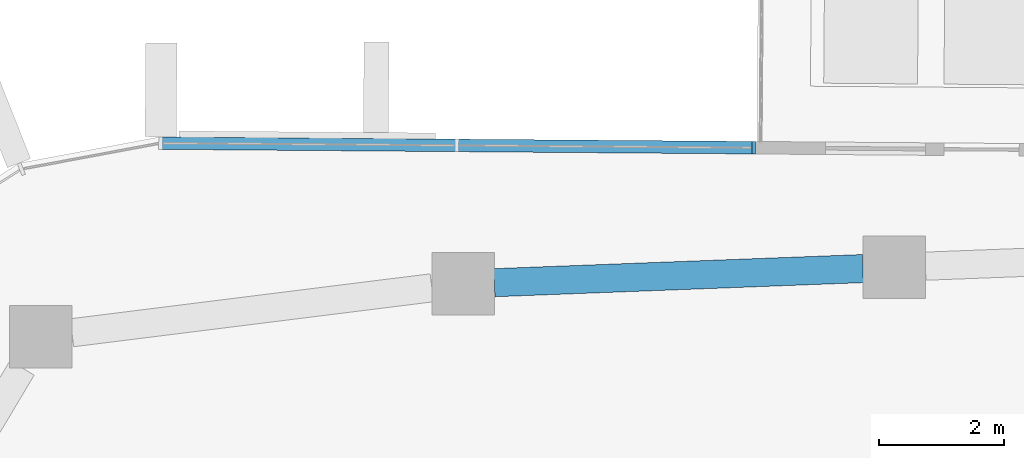
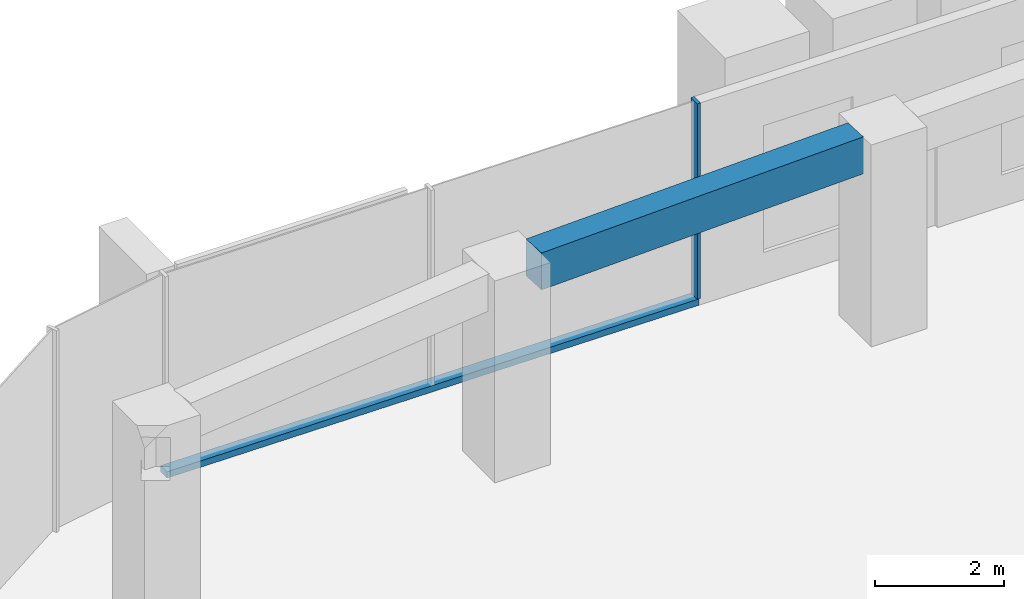
# One storey, part 7 of 23: 2 members, 1 beam, 1 element without a shape of its own.
"""IFC4 building model written with IfcOpenShell, lengths in metres."""

from ifc_helpers import new_model, si_unit, direction, frame, origin, origin_2d, place, context, subcontext, project, spatial, rectangle, extrude, material, layer, layer_set, material_profile, profile_set, type_object, element, aggregate, save


model = new_model("IFC4")

# Units and contexts
model_context = context("Model", 3, precision=1e-05, world=origin(), true_north=direction((0.0, 1.0)))
body_context = subcontext(model_context, "Body", "Model", "MODEL_VIEW")
ifc_project = project(units=[si_unit("LENGTHUNIT", "METRE"), si_unit("AREAUNIT", "SQUARE_METRE"), si_unit("VOLUMEUNIT", "CUBIC_METRE"), si_unit("PLANEANGLEUNIT", "RADIAN"), si_unit("MASSUNIT", "GRAM", prefix="KILO")], contexts=[model_context])

# Site, building, storey
site_placement = place(None, origin())
site = spatial("IfcSite", under=ifc_project, at=site_placement, CompositionType="ELEMENT")
building_placement = place(site_placement, origin())
building = spatial("IfcBuilding", under=site, at=building_placement, Name="Dongbaek Canopy Tower", CompositionType="ELEMENT")
storey_placement = place(building_placement, frame((0.0, 0.0, 323.60009765625)))
storey = spatial("IfcBuildingStorey", under=building, at=storey_placement, Name="L69", CompositionType="ELEMENT", Elevation=323.60009765625)

# Curtain wall, members
ifc_material_1 = material(Name="Aluminium 6063-T6 pale anodised", Category="aluminium")
ifc_layer = layer(ifc_material_1, 0.199951171875)
ifc_layer_set = layer_set([ifc_layer], Name="CW-1 unitised tower curtain wall")
curtain_wall_type = type_object("IfcCurtainWallType", Name="CW-1 unitised tower curtain wall", PredefinedType="NOTDEFINED", material=ifc_layer_set)
curtain_wall_placement = place(storey_placement, origin())
curtain_wall = element("IfcCurtainWall", 1, at=curtain_wall_placement, inside=storey, type_object=curtain_wall_type, Name="CW-1 curtain wall F1.1", PredefinedType="NOTDEFINED")
ifc_material_2 = material(Name="Aluminium 6063-T6 pale anodised", Category="aluminium")
ifc_material_profile_1 = material_profile(ifc_material_2, rectangle(XDim=0.199951171875, YDim=0.06005859375, at=origin_2d()), Name="CW-1 mullion 60 x 200")
ifc_profile_set_1 = profile_set([ifc_material_profile_1], Name="Aluminium 6063-T6 pale anodised")
member_type_1 = type_object("IfcMemberType", Name="CW-1 mullion 60 x 200", PredefinedType="MULLION", material=ifc_profile_set_1)
member_1_placement = place(storey_placement, frame((-3.663818359375, 29.341064453125, 0.119873046875), z_axis=(0.0, 0.0, 1.0), x_axis=(0.007781807363, 0.999969721279, 0.0)))
member_1 = element("IfcMember", 2, at=member_1_placement, type_object=member_type_1, Name="CW-1 mullion F1.1.1", PredefinedType="MULLION", context=body_context, shape_type="SweptSolid", body=[
    extrude(rectangle(XDim=0.199951171875, YDim=0.06005859375, at=origin_2d()), origin(), (0.0, 0.0, 1.0), 3.699951171875),
])
ifc_material_3 = material(Name="Aluminium 6063-T6 pale anodised", Category="aluminium")
ifc_material_profile_2 = material_profile(ifc_material_3, rectangle(XDim=0.199951171875, YDim=0.1201171875, at=origin_2d()), Name="CW-1 transom 120 x 200")
ifc_profile_set_2 = profile_set([ifc_material_profile_2], Name="Aluminium 6063-T6 pale anodised")
member_type_2 = type_object("IfcMemberType", Name="CW-1 transom 120 x 200", PredefinedType="USERDEFINED", material=ifc_profile_set_2)
member_2_placement = place(storey_placement, frame((-3.663818359375, 29.341064453125, 0.059814453125), z_axis=(-0.999969562346, 0.007802203672, 0.0), x_axis=(-0.007802203672, -0.999969562346, 0.0)))
member_2 = element("IfcMember", 3, at=member_2_placement, type_object=member_type_2, Name="CW-1 transom F1.1.1", ObjectType="TRANSOM", PredefinedType="USERDEFINED", context=body_context, shape_type="SweptSolid", body=[
    extrude(rectangle(XDim=0.199951171875, YDim=0.1201171875, at=origin_2d()), origin(), (0.0, 0.0, 1.0), 9.481201171875),
])
aggregate(curtain_wall, [member_1, member_2])

# Beam
ifc_material_4 = material(Name="Concrete C60", Category="concrete")
ifc_material_profile_3 = material_profile(ifc_material_4, rectangle(XDim=0.449951171875, YDim=0.699951171875, at=origin_2d()), Name="RC EDGE BEAM 450x700 C60")
ifc_profile_set_3 = profile_set([ifc_material_profile_3], Name="Concrete C60")
beam_type = type_object("IfcBeamType", Name="RC EDGE BEAM 450x700 C60", PredefinedType="BEAM", material=ifc_profile_set_3)
beam_placement = place(storey_placement, frame((-7.80908203125, 27.18310546875, 3.469970703125), z_axis=(0.999267644391, 0.038264538061, 0.0), x_axis=(-0.038264538061, 0.999267644391, 0.0)))
element("IfcBeam", 4, at=beam_placement, inside=storey, type_object=beam_type, Name="EDGEBEAM:L69:14", PredefinedType="BEAM", context=body_context, shape_type="SweptSolid", body=[
    extrude(rectangle(XDim=0.449951171875, YDim=0.699951171875, at=origin_2d()), origin(), (0.0, 0.0, 1.0), 5.8955078125),
])

save(model, "model.ifc")
